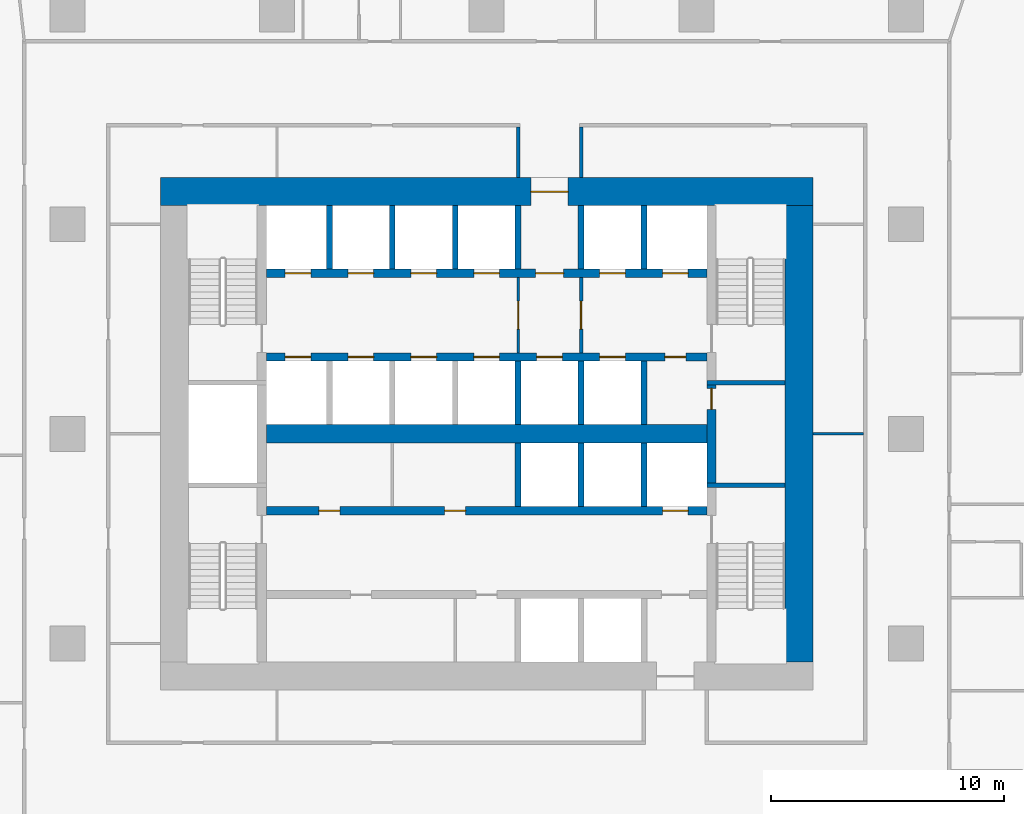
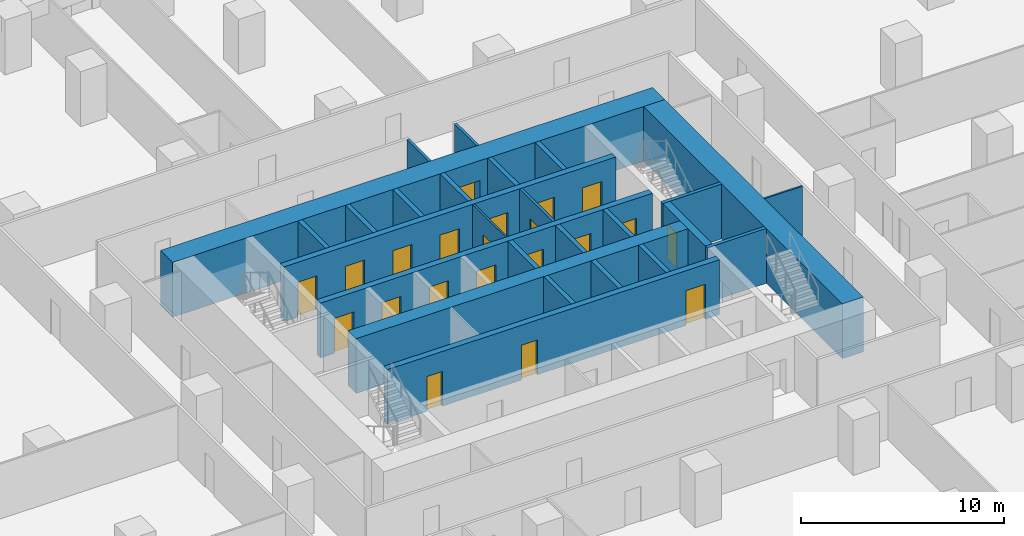
# One storey, part 14 of 24: 26 walls, 21 doors, 21 openings.
"""IFC4 building model written with IfcOpenShell, lengths in metres."""

from ifc_helpers import new_model, si_unit, direction, frame, frame_2d, origin, place, context, subcontext, project, spatial, rectangle, extrude, material, layer, layer_set, type_object, element, fill, save


model = new_model("IFC4")

# Units and contexts
model_context = context("Model", 3, precision=1e-05, world=origin(), true_north=direction((0.0, 1.0)))
body_context = subcontext(model_context, "Body", "Model", "MODEL_VIEW")
ifc_project = project(units=[si_unit("LENGTHUNIT", "METRE"), si_unit("AREAUNIT", "SQUARE_METRE"), si_unit("VOLUMEUNIT", "CUBIC_METRE"), si_unit("PLANEANGLEUNIT", "RADIAN"), si_unit("MASSUNIT", "GRAM", prefix="KILO")], contexts=[model_context])

# Site, building, storey
site_placement = place(None, origin())
site = spatial("IfcSite", under=ifc_project, at=site_placement, CompositionType="ELEMENT")
building_placement = place(site_placement, origin())
building = spatial("IfcBuilding", under=site, at=building_placement, Name="Dongbaek Canopy Tower", CompositionType="ELEMENT")
storey_placement = place(building_placement, frame((0.0, 0.0, 47.699951171875)))
storey = spatial("IfcBuildingStorey", under=building, at=storey_placement, Name="L07", CompositionType="ELEMENT", Elevation=47.699951171875)

# Wall
ifc_material_1 = material(Name="Concrete C60/75", Category="concrete")
ifc_layer_1 = layer(ifc_material_1, 0.800048828125)
ifc_layer_set_1 = layer_set([ifc_layer_1], Name="Core central wall 800 Concrete C60/75")
wall_type_1 = type_object("IfcWallType", Name="Core central wall 800 Concrete C60/75", PredefinedType="SHEAR", material=ifc_layer_set_1)
wall_1_placement = place(storey_placement, frame((-9.449951171875, 0.0, 0.0), z_axis=(0.0, 0.0, 1.0), x_axis=(1.0, 0.0, 0.0)))
element("IfcWall", 1, at=wall_1_placement, inside=storey, type_object=wall_type_1, Name="Core wall", PredefinedType="SHEAR", context=body_context, shape_type="SweptSolid", body=[
    extrude(rectangle(XDim=18.89990234375, YDim=0.800048828125, at=frame_2d((9.449951171875, 0.0))), origin(), (0.0, 0.0, 1.0), 3.300048828125),
])

# Wall, openings, doors
ifc_material_2 = material(Name="Concrete C60/75", Category="concrete")
ifc_layer_2 = layer(ifc_material_2, 0.35009765625)
ifc_layer_set_2 = layer_set([ifc_layer_2], Name="Core lobby wall 350 Concrete C60/75")
wall_type_2 = type_object("IfcWallType", Name="Core lobby wall 350 Concrete C60/75", PredefinedType="SHEAR", material=ifc_layer_set_2)
wall_2_placement = place(storey_placement, frame((-9.449951171875, 6.89990234375, 0.0), z_axis=(0.0, 0.0, 1.0), x_axis=(1.0, 0.0, 0.0)))
wall_2 = element("IfcWall", 2, at=wall_2_placement, inside=storey, type_object=wall_type_2, Name="Core wall", PredefinedType="SHEAR", context=body_context, shape_type="SweptSolid", body=[
    extrude(rectangle(XDim=18.89990234375, YDim=0.35009765625, at=frame_2d((9.449951171875, 0.0))), origin(), (0.0, 0.0, 1.0), 3.300048828125),
])
opening_1_placement = place(wall_2_placement, frame((0.800048828125, 0.0, 0.0)))
opening_1 = element("IfcOpeningElement", 3, at=opening_1_placement, cuts=wall_2, Name="Opening L07-D028", PredefinedType="OPENING", context=body_context, shape_type="SweptSolid", body=[
    extrude(rectangle(XDim=1.10009765625, YDim=2.10009765625, at=frame_2d((0.550048828125, 1.050048828125))), frame((0.0, 0.18505859375, 0.0), z_axis=(0.0, -1.0, 0.0), x_axis=(1.0, 0.0, 0.0)), (0.0, 0.0, 1.0), 0.3701171875),
])
opening_2_placement = place(wall_2_placement, frame((3.5, 0.0, 0.0)))
opening_2 = element("IfcOpeningElement", 4, at=opening_2_placement, cuts=wall_2, Name="Opening L07-D029", PredefinedType="OPENING", context=body_context, shape_type="SweptSolid", body=[
    extrude(rectangle(XDim=1.10009765625, YDim=2.10009765625, at=frame_2d((0.550048828125, 1.050048828125))), frame((0.0, 0.18505859375, 0.0), z_axis=(0.0, -1.0, 0.0), x_axis=(1.0, 0.0, 0.0)), (0.0, 0.0, 1.0), 0.3701171875),
])
opening_3_placement = place(wall_2_placement, frame((6.199951171875, 0.0, 0.0)))
opening_3 = element("IfcOpeningElement", 5, at=opening_3_placement, cuts=wall_2, Name="Opening L07-D030", PredefinedType="OPENING", context=body_context, shape_type="SweptSolid", body=[
    extrude(rectangle(XDim=1.10009765625, YDim=2.10009765625, at=frame_2d((0.550048828125, 1.050048828125))), frame((0.0, 0.18505859375, 0.0), z_axis=(0.0, -1.0, 0.0), x_axis=(1.0, 0.0, 0.0)), (0.0, 0.0, 1.0), 0.3701171875),
])
opening_4_placement = place(wall_2_placement, frame((8.89990234375, 0.0, 0.0)))
opening_4 = element("IfcOpeningElement", 6, at=opening_4_placement, cuts=wall_2, Name="Opening L07-D031", PredefinedType="OPENING", context=body_context, shape_type="SweptSolid", body=[
    extrude(rectangle(XDim=1.10009765625, YDim=2.10009765625, at=frame_2d((0.550048828125, 1.050048828125))), frame((0.0, 0.18505859375, 0.0), z_axis=(0.0, -1.0, 0.0), x_axis=(1.0, 0.0, 0.0)), (0.0, 0.0, 1.0), 0.3701171875),
])
opening_5_placement = place(wall_2_placement, frame((11.550048828125, 0.0, 0.0)))
opening_5 = element("IfcOpeningElement", 7, at=opening_5_placement, cuts=wall_2, Name="Opening L07-D033", PredefinedType="OPENING", context=body_context, shape_type="SweptSolid", body=[
    extrude(rectangle(XDim=1.199951171875, YDim=2.10009765625, at=frame_2d((0.60009765625, 1.050048828125))), frame((0.0, 0.18505859375, 0.0), z_axis=(0.0, -1.0, 0.0), x_axis=(1.0, 0.0, 0.0)), (0.0, 0.0, 1.0), 0.3701171875),
])
opening_6_placement = place(wall_2_placement, frame((14.300048828125, 0.0, 0.0)))
opening_6 = element("IfcOpeningElement", 8, at=opening_6_placement, cuts=wall_2, Name="Opening L07-D034", PredefinedType="OPENING", context=body_context, shape_type="SweptSolid", body=[
    extrude(rectangle(XDim=1.10009765625, YDim=2.10009765625, at=frame_2d((0.550048828125, 1.050048828125))), frame((0.0, 0.18505859375, 0.0), z_axis=(0.0, -1.0, 0.0), x_axis=(1.0, 0.0, 0.0)), (0.0, 0.0, 1.0), 0.3701171875),
])
opening_7_placement = place(wall_2_placement, frame((17.0, 0.0, 0.0)))
opening_7 = element("IfcOpeningElement", 9, at=opening_7_placement, cuts=wall_2, Name="Opening L07-D035", PredefinedType="OPENING", context=body_context, shape_type="SweptSolid", body=[
    extrude(rectangle(XDim=1.10009765625, YDim=2.10009765625, at=frame_2d((0.550048828125, 1.050048828125))), frame((0.0, 0.18505859375, 0.0), z_axis=(0.0, -1.0, 0.0), x_axis=(1.0, 0.0, 0.0)), (0.0, 0.0, 1.0), 0.3701171875),
])
ifc_material_3 = material(Name="Steel", Category="steel")
door_type_1 = type_object("IfcDoorType", Name="Fire lobby door 1200 x 2100", OperationType="SINGLE_SWING_LEFT", PredefinedType="DOOR", material=ifc_material_3)
door_1_placement = place(opening_5_placement, origin())
door_1 = element("IfcDoor", 10, at=door_1_placement, inside=storey, type_object=door_type_1, Name="Door L07-D033", OperationType="SINGLE_SWING_LEFT", OverallHeight=2.10009765625, OverallWidth=1.199951171875, PredefinedType="DOOR", context=body_context, shape_type="SweptSolid", body=[
    extrude(rectangle(XDim=1.199951171875, YDim=2.10009765625, at=frame_2d((0.60009765625, 1.050048828125))), frame((0.0, 0.02490234375, 0.0), z_axis=(0.0, -1.0, 0.0), x_axis=(1.0, 0.0, 0.0)), (0.0, 0.0, 1.0), 0.050048828125),
])
fill(opening_5, door_1)
ifc_material_4 = material(Name="Stainless steel", Category="steel")
door_type_2 = type_object("IfcDoorType", Name="Lift landing door 1100 x 2100", OperationType="DOUBLE_DOOR_SLIDING", PredefinedType="DOOR", material=ifc_material_4)
door_2_placement = place(opening_1_placement, origin())
door_2 = element("IfcDoor", 11, at=door_2_placement, inside=storey, type_object=door_type_2, Name="Landing door LR1", OperationType="DOUBLE_DOOR_SLIDING", OverallHeight=2.10009765625, OverallWidth=1.10009765625, PredefinedType="DOOR", context=body_context, shape_type="SweptSolid", body=[
    extrude(rectangle(XDim=1.10009765625, YDim=2.10009765625, at=frame_2d((0.550048828125, 1.050048828125))), frame((0.0, 0.02490234375, 0.0), z_axis=(0.0, -1.0, 0.0), x_axis=(1.0, 0.0, 0.0)), (0.0, 0.0, 1.0), 0.050048828125),
])
fill(opening_1, door_2)
door_3_placement = place(opening_2_placement, origin())
door_3 = element("IfcDoor", 12, at=door_3_placement, inside=storey, type_object=door_type_2, Name="Landing door LR2", OperationType="DOUBLE_DOOR_SLIDING", OverallHeight=2.10009765625, OverallWidth=1.10009765625, PredefinedType="DOOR", context=body_context, shape_type="SweptSolid", body=[
    extrude(rectangle(XDim=1.10009765625, YDim=2.10009765625, at=frame_2d((0.550048828125, 1.050048828125))), frame((0.0, 0.02490234375, 0.0), z_axis=(0.0, -1.0, 0.0), x_axis=(1.0, 0.0, 0.0)), (0.0, 0.0, 1.0), 0.050048828125),
])
fill(opening_2, door_3)
door_4_placement = place(opening_3_placement, origin())
door_4 = element("IfcDoor", 13, at=door_4_placement, inside=storey, type_object=door_type_2, Name="Landing door LR3", OperationType="DOUBLE_DOOR_SLIDING", OverallHeight=2.10009765625, OverallWidth=1.10009765625, PredefinedType="DOOR", context=body_context, shape_type="SweptSolid", body=[
    extrude(rectangle(XDim=1.10009765625, YDim=2.10009765625, at=frame_2d((0.550048828125, 1.050048828125))), frame((0.0, 0.02490234375, 0.0), z_axis=(0.0, -1.0, 0.0), x_axis=(1.0, 0.0, 0.0)), (0.0, 0.0, 1.0), 0.050048828125),
])
fill(opening_3, door_4)
door_5_placement = place(opening_4_placement, origin())
door_5 = element("IfcDoor", 14, at=door_5_placement, inside=storey, type_object=door_type_2, Name="Landing door LR4", OperationType="DOUBLE_DOOR_SLIDING", OverallHeight=2.10009765625, OverallWidth=1.10009765625, PredefinedType="DOOR", context=body_context, shape_type="SweptSolid", body=[
    extrude(rectangle(XDim=1.10009765625, YDim=2.10009765625, at=frame_2d((0.550048828125, 1.050048828125))), frame((0.0, 0.02490234375, 0.0), z_axis=(0.0, -1.0, 0.0), x_axis=(1.0, 0.0, 0.0)), (0.0, 0.0, 1.0), 0.050048828125),
])
fill(opening_4, door_5)
door_6_placement = place(opening_6_placement, origin())
door_6 = element("IfcDoor", 15, at=door_6_placement, inside=storey, type_object=door_type_2, Name="Landing door FF1", OperationType="DOUBLE_DOOR_SLIDING", OverallHeight=2.10009765625, OverallWidth=1.10009765625, PredefinedType="DOOR", context=body_context, shape_type="SweptSolid", body=[
    extrude(rectangle(XDim=1.10009765625, YDim=2.10009765625, at=frame_2d((0.550048828125, 1.050048828125))), frame((0.0, 0.02490234375, 0.0), z_axis=(0.0, -1.0, 0.0), x_axis=(1.0, 0.0, 0.0)), (0.0, 0.0, 1.0), 0.050048828125),
])
fill(opening_6, door_6)
door_7_placement = place(opening_7_placement, origin())
door_7 = element("IfcDoor", 16, at=door_7_placement, inside=storey, type_object=door_type_2, Name="Landing door FF2", OperationType="DOUBLE_DOOR_SLIDING", OverallHeight=2.10009765625, OverallWidth=1.10009765625, PredefinedType="DOOR", context=body_context, shape_type="SweptSolid", body=[
    extrude(rectangle(XDim=1.10009765625, YDim=2.10009765625, at=frame_2d((0.550048828125, 1.050048828125))), frame((0.0, 0.02490234375, 0.0), z_axis=(0.0, -1.0, 0.0), x_axis=(1.0, 0.0, 0.0)), (0.0, 0.0, 1.0), 0.050048828125),
])
fill(opening_7, door_7)

wall_3_placement = place(storey_placement, frame((9.449951171875, 3.300048828125, 0.0), z_axis=(0.0, 0.0, 1.0), x_axis=(-1.0, 0.0, 0.0)))
wall_3 = element("IfcWall", 17, at=wall_3_placement, inside=storey, type_object=wall_type_2, Name="Core wall", PredefinedType="SHEAR", context=body_context, shape_type="SweptSolid", body=[
    extrude(rectangle(XDim=18.89990234375, YDim=0.35009765625, at=frame_2d((9.449951171875, 0.0))), origin(), (0.0, 0.0, 1.0), 3.300048828125),
])
opening_8_placement = place(wall_3_placement, frame((17.0, 0.0, 0.0)))
opening_8 = element("IfcOpeningElement", 18, at=opening_8_placement, cuts=wall_3, Name="Opening L07-D036", PredefinedType="OPENING", context=body_context, shape_type="SweptSolid", body=[
    extrude(rectangle(XDim=1.10009765625, YDim=2.10009765625, at=frame_2d((0.550048828125, 1.050048828125))), frame((0.0, 0.18505859375, 0.0), z_axis=(0.0, -1.0, 0.0), x_axis=(1.0, 0.0, 0.0)), (0.0, 0.0, 1.0), 0.3701171875),
])
opening_9_placement = place(wall_3_placement, frame((14.300048828125, 0.0, 0.0)))
opening_9 = element("IfcOpeningElement", 19, at=opening_9_placement, cuts=wall_3, Name="Opening L07-D037", PredefinedType="OPENING", context=body_context, shape_type="SweptSolid", body=[
    extrude(rectangle(XDim=1.10009765625, YDim=2.10009765625, at=frame_2d((0.550048828125, 1.050048828125))), frame((0.0, 0.18505859375, 0.0), z_axis=(0.0, -1.0, 0.0), x_axis=(1.0, 0.0, 0.0)), (0.0, 0.0, 1.0), 0.3701171875),
])
opening_10_placement = place(wall_3_placement, frame((11.60009765625, 0.0, 0.0)))
opening_10 = element("IfcOpeningElement", 20, at=opening_10_placement, cuts=wall_3, Name="Opening L07-D038", PredefinedType="OPENING", context=body_context, shape_type="SweptSolid", body=[
    extrude(rectangle(XDim=1.10009765625, YDim=2.10009765625, at=frame_2d((0.550048828125, 1.050048828125))), frame((0.0, 0.18505859375, 0.0), z_axis=(0.0, -1.0, 0.0), x_axis=(1.0, 0.0, 0.0)), (0.0, 0.0, 1.0), 0.3701171875),
])
opening_11_placement = place(wall_3_placement, frame((8.89990234375, 0.0, 0.0)))
opening_11 = element("IfcOpeningElement", 21, at=opening_11_placement, cuts=wall_3, Name="Opening L07-D039", PredefinedType="OPENING", context=body_context, shape_type="SweptSolid", body=[
    extrude(rectangle(XDim=1.10009765625, YDim=2.10009765625, at=frame_2d((0.550048828125, 1.050048828125))), frame((0.0, 0.18505859375, 0.0), z_axis=(0.0, -1.0, 0.0), x_axis=(1.0, 0.0, 0.0)), (0.0, 0.0, 1.0), 0.3701171875),
])
opening_12_placement = place(wall_3_placement, frame((6.199951171875, 0.0, 0.0)))
opening_12 = element("IfcOpeningElement", 22, at=opening_12_placement, cuts=wall_3, Name="Opening L07-D040", PredefinedType="OPENING", context=body_context, shape_type="SweptSolid", body=[
    extrude(rectangle(XDim=1.10009765625, YDim=2.10009765625, at=frame_2d((0.550048828125, 1.050048828125))), frame((0.0, 0.18505859375, 0.0), z_axis=(0.0, -1.0, 0.0), x_axis=(1.0, 0.0, 0.0)), (0.0, 0.0, 1.0), 0.3701171875),
])
opening_13_placement = place(wall_3_placement, frame((3.5, 0.0, 0.0)))
opening_13 = element("IfcOpeningElement", 23, at=opening_13_placement, cuts=wall_3, Name="Opening L07-D041", PredefinedType="OPENING", context=body_context, shape_type="SweptSolid", body=[
    extrude(rectangle(XDim=1.10009765625, YDim=2.10009765625, at=frame_2d((0.550048828125, 1.050048828125))), frame((0.0, 0.18505859375, 0.0), z_axis=(0.0, -1.0, 0.0), x_axis=(1.0, 0.0, 0.0)), (0.0, 0.0, 1.0), 0.3701171875),
])
opening_14_placement = place(wall_3_placement, frame((0.89990234375, 0.0, 0.0)))
opening_14 = element("IfcOpeningElement", 24, at=opening_14_placement, cuts=wall_3, Name="Opening L07-D042", PredefinedType="OPENING", context=body_context, shape_type="SweptSolid", body=[
    extrude(rectangle(XDim=0.89990234375, YDim=2.10009765625, at=frame_2d((0.449951171875, 1.050048828125))), frame((0.0, 0.18505859375, 0.0), z_axis=(0.0, -1.0, 0.0), x_axis=(1.0, 0.0, 0.0)), (0.0, 0.0, 1.0), 0.3701171875),
])
ifc_material_5 = material(Name="Steel", Category="steel")
door_type_3 = type_object("IfcDoorType", Name="Core room door 900 x 2100", OperationType="SINGLE_SWING_LEFT", PredefinedType="DOOR", material=ifc_material_5)
door_8_placement = place(opening_14_placement, origin())
door_8 = element("IfcDoor", 25, at=door_8_placement, inside=storey, type_object=door_type_3, Name="Door L07-D042", OperationType="SINGLE_SWING_LEFT", OverallHeight=2.10009765625, OverallWidth=0.89990234375, PredefinedType="DOOR", context=body_context, shape_type="SweptSolid", body=[
    extrude(rectangle(XDim=0.89990234375, YDim=2.10009765625, at=frame_2d((0.449951171875, 1.050048828125))), frame((0.0, 0.02490234375, 0.0), z_axis=(0.0, -1.0, 0.0), x_axis=(1.0, 0.0, 0.0)), (0.0, 0.0, 1.0), 0.050048828125),
])
fill(opening_14, door_8)
door_9_placement = place(opening_8_placement, origin())
door_9 = element("IfcDoor", 26, at=door_9_placement, inside=storey, type_object=door_type_2, Name="Landing door LR5", OperationType="DOUBLE_DOOR_SLIDING", OverallHeight=2.10009765625, OverallWidth=1.10009765625, PredefinedType="DOOR", context=body_context, shape_type="SweptSolid", body=[
    extrude(rectangle(XDim=1.10009765625, YDim=2.10009765625, at=frame_2d((0.550048828125, 1.050048828125))), frame((0.0, 0.02490234375, 0.0), z_axis=(0.0, -1.0, 0.0), x_axis=(1.0, 0.0, 0.0)), (0.0, 0.0, 1.0), 0.050048828125),
])
fill(opening_8, door_9)
door_10_placement = place(opening_9_placement, origin())
door_10 = element("IfcDoor", 27, at=door_10_placement, inside=storey, type_object=door_type_2, Name="Landing door LR6", OperationType="DOUBLE_DOOR_SLIDING", OverallHeight=2.10009765625, OverallWidth=1.10009765625, PredefinedType="DOOR", context=body_context, shape_type="SweptSolid", body=[
    extrude(rectangle(XDim=1.10009765625, YDim=2.10009765625, at=frame_2d((0.550048828125, 1.050048828125))), frame((0.0, 0.02490234375, 0.0), z_axis=(0.0, -1.0, 0.0), x_axis=(1.0, 0.0, 0.0)), (0.0, 0.0, 1.0), 0.050048828125),
])
fill(opening_9, door_10)
door_11_placement = place(opening_10_placement, origin())
door_11 = element("IfcDoor", 28, at=door_11_placement, inside=storey, type_object=door_type_2, Name="Landing door LR7", OperationType="DOUBLE_DOOR_SLIDING", OverallHeight=2.10009765625, OverallWidth=1.10009765625, PredefinedType="DOOR", context=body_context, shape_type="SweptSolid", body=[
    extrude(rectangle(XDim=1.10009765625, YDim=2.10009765625, at=frame_2d((0.550048828125, 1.050048828125))), frame((0.0, 0.02490234375, 0.0), z_axis=(0.0, -1.0, 0.0), x_axis=(1.0, 0.0, 0.0)), (0.0, 0.0, 1.0), 0.050048828125),
])
fill(opening_10, door_11)
door_12_placement = place(opening_11_placement, origin())
door_12 = element("IfcDoor", 29, at=door_12_placement, inside=storey, type_object=door_type_2, Name="Landing door LR8", OperationType="DOUBLE_DOOR_SLIDING", OverallHeight=2.10009765625, OverallWidth=1.10009765625, PredefinedType="DOOR", context=body_context, shape_type="SweptSolid", body=[
    extrude(rectangle(XDim=1.10009765625, YDim=2.10009765625, at=frame_2d((0.550048828125, 1.050048828125))), frame((0.0, 0.02490234375, 0.0), z_axis=(0.0, -1.0, 0.0), x_axis=(1.0, 0.0, 0.0)), (0.0, 0.0, 1.0), 0.050048828125),
])
fill(opening_11, door_12)
door_13_placement = place(opening_12_placement, origin())
door_13 = element("IfcDoor", 30, at=door_13_placement, inside=storey, type_object=door_type_2, Name="Landing door SV1", OperationType="DOUBLE_DOOR_SLIDING", OverallHeight=2.10009765625, OverallWidth=1.10009765625, PredefinedType="DOOR", context=body_context, shape_type="SweptSolid", body=[
    extrude(rectangle(XDim=1.10009765625, YDim=2.10009765625, at=frame_2d((0.550048828125, 1.050048828125))), frame((0.0, 0.02490234375, 0.0), z_axis=(0.0, -1.0, 0.0), x_axis=(1.0, 0.0, 0.0)), (0.0, 0.0, 1.0), 0.050048828125),
])
fill(opening_12, door_13)
door_14_placement = place(opening_13_placement, origin())
door_14 = element("IfcDoor", 31, at=door_14_placement, inside=storey, type_object=door_type_2, Name="Landing door FF3", OperationType="DOUBLE_DOOR_SLIDING", OverallHeight=2.10009765625, OverallWidth=1.10009765625, PredefinedType="DOOR", context=body_context, shape_type="SweptSolid", body=[
    extrude(rectangle(XDim=1.10009765625, YDim=2.10009765625, at=frame_2d((0.550048828125, 1.050048828125))), frame((0.0, 0.02490234375, 0.0), z_axis=(0.0, -1.0, 0.0), x_axis=(1.0, 0.0, 0.0)), (0.0, 0.0, 1.0), 0.050048828125),
])
fill(opening_13, door_14)

wall_4_placement = place(storey_placement, frame((-9.449951171875, -3.300048828125, 0.0), z_axis=(0.0, 0.0, 1.0), x_axis=(1.0, 0.0, 0.0)))
wall_4 = element("IfcWall", 32, at=wall_4_placement, inside=storey, type_object=wall_type_2, Name="Core wall", PredefinedType="SHEAR", context=body_context, shape_type="SweptSolid", body=[
    extrude(rectangle(XDim=18.89990234375, YDim=0.35009765625, at=frame_2d((9.449951171875, 0.0))), origin(), (0.0, 0.0, 1.0), 3.300048828125),
])
opening_15_placement = place(wall_4_placement, frame((17.0, 0.0, 0.0)))
opening_15 = element("IfcOpeningElement", 33, at=opening_15_placement, cuts=wall_4, Name="Opening L07-D043", PredefinedType="OPENING", context=body_context, shape_type="SweptSolid", body=[
    extrude(rectangle(XDim=1.10009765625, YDim=2.10009765625, at=frame_2d((0.550048828125, 1.050048828125))), frame((0.0, 0.18505859375, 0.0), z_axis=(0.0, -1.0, 0.0), x_axis=(1.0, 0.0, 0.0)), (0.0, 0.0, 1.0), 0.3701171875),
])
opening_16_placement = place(wall_4_placement, frame((2.25, 0.0, 0.0)))
opening_16 = element("IfcOpeningElement", 34, at=opening_16_placement, cuts=wall_4, Name="Opening L07-D046", PredefinedType="OPENING", context=body_context, shape_type="SweptSolid", body=[
    extrude(rectangle(XDim=0.89990234375, YDim=2.10009765625, at=frame_2d((0.449951171875, 1.050048828125))), frame((0.0, 0.18505859375, 0.0), z_axis=(0.0, -1.0, 0.0), x_axis=(1.0, 0.0, 0.0)), (0.0, 0.0, 1.0), 0.3701171875),
])
opening_17_placement = place(wall_4_placement, frame((7.64990234375, 0.0, 0.0)))
opening_17 = element("IfcOpeningElement", 35, at=opening_17_placement, cuts=wall_4, Name="Opening L07-D047", PredefinedType="OPENING", context=body_context, shape_type="SweptSolid", body=[
    extrude(rectangle(XDim=0.89990234375, YDim=2.10009765625, at=frame_2d((0.449951171875, 1.050048828125))), frame((0.0, 0.18505859375, 0.0), z_axis=(0.0, -1.0, 0.0), x_axis=(1.0, 0.0, 0.0)), (0.0, 0.0, 1.0), 0.3701171875),
])
door_15_placement = place(opening_16_placement, origin())
door_15 = element("IfcDoor", 36, at=door_15_placement, inside=storey, type_object=door_type_3, Name="Door L07-D046", OperationType="SINGLE_SWING_RIGHT", OverallHeight=2.10009765625, OverallWidth=0.89990234375, PredefinedType="DOOR", context=body_context, shape_type="SweptSolid", body=[
    extrude(rectangle(XDim=0.89990234375, YDim=2.10009765625, at=frame_2d((0.449951171875, 1.050048828125))), frame((0.0, 0.02490234375, 0.0), z_axis=(0.0, -1.0, 0.0), x_axis=(1.0, 0.0, 0.0)), (0.0, 0.0, 1.0), 0.050048828125),
])
fill(opening_16, door_15)
door_16_placement = place(opening_17_placement, origin())
door_16 = element("IfcDoor", 37, at=door_16_placement, inside=storey, type_object=door_type_3, Name="Door L07-D047", OperationType="SINGLE_SWING_LEFT", OverallHeight=2.10009765625, OverallWidth=0.89990234375, PredefinedType="DOOR", context=body_context, shape_type="SweptSolid", body=[
    extrude(rectangle(XDim=0.89990234375, YDim=2.10009765625, at=frame_2d((0.449951171875, 1.050048828125))), frame((0.0, 0.02490234375, 0.0), z_axis=(0.0, -1.0, 0.0), x_axis=(1.0, 0.0, 0.0)), (0.0, 0.0, 1.0), 0.050048828125),
])
fill(opening_17, door_16)
door_17_placement = place(opening_15_placement, origin())
door_17 = element("IfcDoor", 38, at=door_17_placement, inside=storey, type_object=door_type_2, Name="Landing door SV2", OperationType="DOUBLE_DOOR_SLIDING", OverallHeight=2.10009765625, OverallWidth=1.10009765625, PredefinedType="DOOR", context=body_context, shape_type="SweptSolid", body=[
    extrude(rectangle(XDim=1.10009765625, YDim=2.10009765625, at=frame_2d((0.550048828125, 1.050048828125))), frame((0.0, 0.02490234375, 0.0), z_axis=(0.0, -1.0, 0.0), x_axis=(1.0, 0.0, 0.0)), (0.0, 0.0, 1.0), 0.050048828125),
])
fill(opening_15, door_17)

# Wall, opening, door
ifc_material_6 = material(Name="Concrete C60/75", Category="concrete")
ifc_layer_3 = layer(ifc_material_6, 1.199951171875)
ifc_layer_set_3 = layer_set([ifc_layer_3], Name="Core outer wall 1200 Concrete C60/75")
wall_type_3 = type_object("IfcWallType", Name="Core outer wall 1200 Concrete C60/75", PredefinedType="SHEAR", material=ifc_layer_set_3)
wall_5_placement = place(storey_placement, frame((-14.0, 10.39990234375, 0.0), z_axis=(0.0, 0.0, 1.0), x_axis=(1.0, 0.0, 0.0)))
wall_5 = element("IfcWall", 39, at=wall_5_placement, inside=storey, type_object=wall_type_3, Name="Core wall", PredefinedType="SHEAR", context=body_context, shape_type="SweptSolid", body=[
    extrude(rectangle(XDim=28.0, YDim=1.199951171875, at=frame_2d((14.0, 0.0))), origin(), (0.0, 0.0, 1.0), 3.300048828125),
])
opening_18_placement = place(wall_5_placement, frame((15.89990234375, 0.0, 0.0)))
opening_18 = element("IfcOpeningElement", 40, at=opening_18_placement, cuts=wall_5, Name="Opening L07-D032", PredefinedType="OPENING", context=body_context, shape_type="SweptSolid", body=[
    extrude(rectangle(XDim=1.60009765625, YDim=2.10009765625, at=frame_2d((0.800048828125, 1.050048828125))), frame((0.0, 0.60986328125, 0.0), z_axis=(0.0, -1.0, 0.0), x_axis=(1.0, 0.0, 0.0)), (0.0, 0.0, 1.0), 1.219970703125),
])
ifc_material_7 = material(Name="Steel", Category="steel")
door_type_4 = type_object("IfcDoorType", Name="Core exit door 1600 x 2100", OperationType="DOUBLE_DOOR_SINGLE_SWING", PredefinedType="DOOR", material=ifc_material_7)
door_18_placement = place(opening_18_placement, origin())
door_18 = element("IfcDoor", 41, at=door_18_placement, inside=storey, type_object=door_type_4, Name="Core exit door", OperationType="DOUBLE_DOOR_SINGLE_SWING", OverallHeight=2.10009765625, OverallWidth=1.60009765625, PredefinedType="DOOR", context=body_context, shape_type="SweptSolid", body=[
    extrude(rectangle(XDim=1.60009765625, YDim=2.10009765625, at=frame_2d((0.800048828125, 1.050048828125))), frame((0.0, 0.02490234375, 0.0), z_axis=(0.0, -1.0, 0.0), x_axis=(1.0, 0.0, 0.0)), (0.0, 0.0, 1.0), 0.050048828125),
])
fill(opening_18, door_18)

# Walls
wall_6_placement = place(storey_placement, frame((13.39990234375, 9.800048828125, 0.0), z_axis=(0.0, 0.0, 1.0), x_axis=(0.0, -1.0, 0.0)))
element("IfcWall", 42, at=wall_6_placement, inside=storey, type_object=wall_type_3, Name="Core wall", PredefinedType="SHEAR", context=body_context, shape_type="SweptSolid", body=[
    extrude(rectangle(XDim=19.60009765625, YDim=1.199951171875, at=frame_2d((9.800048828125, 0.0))), origin(), (0.0, 0.0, 1.0), 3.300048828125),
])
ifc_material_8 = material(Name="Gypsum board partition, steel stud, 2 x 15 mm fire board", Category="steel")
ifc_layer_4 = layer(ifc_material_8, 0.14990234375)
ifc_layer_set_4 = layer_set([ifc_layer_4], Name="Fire-rated partition 150 gypsum board")
wall_type_4 = type_object("IfcWallType", Name="Fire-rated partition 150 gypsum board", PredefinedType="PARTITIONING", material=ifc_layer_set_4)
for number, where, z_axis, x_axis, name in (
    (43, (4.050048828125, 11.0, 0.0), (0.0, 0.0, 1.0), (0.0, 1.0, 0.0), "Corridor partition"),
    (44, (1.35009765625, 11.0, 0.0), (0.0, 0.0, 1.0), (0.0, 1.0, 0.0), "Corridor partition"),
):
    element("IfcWall", number, at=place(storey_placement, frame(where, z_axis=z_axis, x_axis=x_axis)), inside=storey, type_object=wall_type_4, Name=name, PredefinedType="PARTITIONING", context=body_context, shape_type="SweptSolid", body=[
        extrude(rectangle(XDim=2.175048828125, YDim=0.14990234375, at=frame_2d((1.08740234375, 0.0))), origin(), (0.0, 0.0, 1.0), 3.300048828125),
    ])

# Wall, opening, door
wall_7_placement = place(storey_placement, frame((4.050048828125, 6.72509765625, 0.0), z_axis=(0.0, 0.0, 1.0), x_axis=(0.0, -1.0, 0.0)))
wall_7 = element("IfcWall", 45, at=wall_7_placement, inside=storey, type_object=wall_type_4, Name="Fire lobby partition", PredefinedType="PARTITIONING", context=body_context, shape_type="SweptSolid", body=[
    extrude(rectangle(XDim=3.25, YDim=0.14990234375, at=frame_2d((1.625, 0.0))), origin(), (0.0, 0.0, 1.0), 3.300048828125),
])
opening_19_placement = place(wall_7_placement, frame((1.02490234375, 0.0, 0.0)))
opening_19 = element("IfcOpeningElement", 46, at=opening_19_placement, cuts=wall_7, Name="Opening L07-D055", PredefinedType="OPENING", context=body_context, shape_type="SweptSolid", body=[
    extrude(rectangle(XDim=1.199951171875, YDim=2.10009765625, at=frame_2d((0.60009765625, 1.050048828125))), frame((0.0, 0.0849609375, 0.0), z_axis=(0.0, -1.0, 0.0), x_axis=(1.0, 0.0, 0.0)), (0.0, 0.0, 1.0), 0.169921875),
])
door_19_placement = place(opening_19_placement, origin())
door_19 = element("IfcDoor", 47, at=door_19_placement, inside=storey, type_object=door_type_1, Name="Door L07-D055", OperationType="SINGLE_SWING_RIGHT", OverallHeight=2.10009765625, OverallWidth=1.199951171875, PredefinedType="DOOR", context=body_context, shape_type="SweptSolid", body=[
    extrude(rectangle(XDim=1.199951171875, YDim=2.10009765625, at=frame_2d((0.60009765625, 1.050048828125))), frame((0.0, 0.02490234375, 0.0), z_axis=(0.0, -1.0, 0.0), x_axis=(1.0, 0.0, 0.0)), (0.0, 0.0, 1.0), 0.050048828125),
])
fill(opening_19, door_19)

# Walls
ifc_material_9 = material(Name="Concrete C40/50", Category="concrete")
ifc_layer_5 = layer(ifc_material_9, 0.25)
ifc_layer_set_5 = layer_set([ifc_layer_5], Name="Lift shaft wall 250 Concrete C40/50")
wall_type_5 = type_object("IfcWallType", Name="Lift shaft wall 250 Concrete C40/50", PredefinedType="SOLIDWALL", material=ifc_layer_set_5)
for number, where, z_axis, x_axis, name in (
    (48, (6.75, -3.125, 0.0), (0.0, 0.0, 1.0), (0.0, 1.0, 0.0), "Lift shaft wall"),
    (49, (6.75, 0.39990234375, 0.0), (0.0, 0.0, 1.0), (0.0, 1.0, 0.0), "Lift shaft wall"),
    (50, (6.75, 7.074951171875, 0.0), (0.0, 0.0, 1.0), (0.0, 1.0, 0.0), "Lift shaft wall"),
    (51, (4.050048828125, -3.125, 0.0), (0.0, 0.0, 1.0), (0.0, 1.0, 0.0), "Lift shaft wall"),
    (52, (4.050048828125, 0.39990234375, 0.0), (0.0, 0.0, 1.0), (0.0, 1.0, 0.0), "Lift shaft wall"),
    (53, (4.050048828125, 7.074951171875, 0.0), (0.0, 0.0, 1.0), (0.0, 1.0, 0.0), "Lift shaft wall"),
    (54, (1.35009765625, -3.125, 0.0), (0.0, 0.0, 1.0), (0.0, 1.0, 0.0), "Lift shaft wall"),
    (55, (1.35009765625, 0.39990234375, 0.0), (0.0, 0.0, 1.0), (0.0, 1.0, 0.0), "Lift shaft wall"),
    (56, (1.35009765625, 7.074951171875, 0.0), (0.0, 0.0, 1.0), (0.0, 1.0, 0.0), "Lift shaft wall"),
    (57, (-1.35009765625, 7.074951171875, 0.0), (0.0, 0.0, 1.0), (0.0, 1.0, 0.0), "Lift shaft wall"),
    (58, (-4.050048828125, 7.074951171875, 0.0), (0.0, 0.0, 1.0), (0.0, 1.0, 0.0), "Lift shaft wall"),
    (59, (-6.75, 7.074951171875, 0.0), (0.0, 0.0, 1.0), (0.0, 1.0, 0.0), "Lift shaft wall"),
):
    element("IfcWall", number, at=place(storey_placement, frame(where, z_axis=z_axis, x_axis=x_axis)), inside=storey, type_object=wall_type_5, Name=name, PredefinedType="SOLIDWALL", context=body_context, shape_type="SweptSolid", body=[
        extrude(rectangle(XDim=2.72509765625, YDim=0.25, at=frame_2d((1.362548828125, 0.0))), origin(), (0.0, 0.0, 1.0), 3.300048828125),
    ])
ifc_material_10 = material(Name="Gypsum board partition, steel stud, 2 x 12.5 mm board", Category="steel")
ifc_layer_6 = layer(ifc_material_10, 0.10009765625)
ifc_layer_set_6 = layer_set([ifc_layer_6], Name="Partition 100 gypsum board")
wall_type_6 = type_object("IfcWallType", Name="Partition 100 gypsum board", PredefinedType="PARTITIONING", material=ifc_layer_set_6)
wall_8_placement = place(storey_placement, frame((14.0, 0.0, 0.0), z_axis=(0.0, 0.0, 1.0), x_axis=(1.0, 0.0, 0.0)))
element("IfcWall", 60, at=wall_8_placement, inside=storey, type_object=wall_type_6, Name="Partition", PredefinedType="PARTITIONING", context=body_context, shape_type="SweptSolid", body=[
    extrude(rectangle(XDim=2.175048828125, YDim=0.10009765625, at=frame_2d((1.08740234375, 0.0))), origin(), (0.0, 0.0, 1.0), 3.300048828125),
])

# Wall, opening, door
wall_9_placement = place(storey_placement, frame((1.35009765625, 6.72509765625, 0.0), z_axis=(0.0, 0.0, 1.0), x_axis=(0.0, -1.0, 0.0)))
wall_9 = element("IfcWall", 61, at=wall_9_placement, inside=storey, type_object=wall_type_6, Name="Core partition", PredefinedType="PARTITIONING", context=body_context, shape_type="SweptSolid", body=[
    extrude(rectangle(XDim=3.25, YDim=0.10009765625, at=frame_2d((1.625, 0.0))), origin(), (0.0, 0.0, 1.0), 3.300048828125),
])
opening_20_placement = place(wall_9_placement, frame((1.02490234375, 0.0, 0.0)))
opening_20 = element("IfcOpeningElement", 62, at=opening_20_placement, cuts=wall_9, Name="Opening L07-D054", PredefinedType="OPENING", context=body_context, shape_type="SweptSolid", body=[
    extrude(rectangle(XDim=1.199951171875, YDim=2.10009765625, at=frame_2d((0.60009765625, 1.050048828125))), frame((0.0, 0.06005859375, 0.0), z_axis=(0.0, -1.0, 0.0), x_axis=(1.0, 0.0, 0.0)), (0.0, 0.0, 1.0), 0.1201171875),
])
door_20_placement = place(opening_20_placement, origin())
door_20 = element("IfcDoor", 63, at=door_20_placement, inside=storey, type_object=door_type_1, Name="Door L07-D054", OperationType="SINGLE_SWING_LEFT", OverallHeight=2.10009765625, OverallWidth=1.199951171875, PredefinedType="DOOR", context=body_context, shape_type="SweptSolid", body=[
    extrude(rectangle(XDim=1.199951171875, YDim=2.10009765625, at=frame_2d((0.60009765625, 1.050048828125))), frame((0.0, 0.02490234375, 0.0), z_axis=(0.0, -1.0, 0.0), x_axis=(1.0, 0.0, 0.0)), (0.0, 0.0, 1.0), 0.050048828125),
])
fill(opening_20, door_20)

# Walls
ifc_material_11 = material(Name="Concrete C60/75", Category="concrete")
ifc_layer_7 = layer(ifc_material_11, 0.199951171875)
ifc_layer_set_7 = layer_set([ifc_layer_7], Name="Riser wall 200 Concrete C60/75")
wall_type_7 = type_object("IfcWallType", Name="Riser wall 200 Concrete C60/75", PredefinedType="SHEAR", material=ifc_layer_set_7)
for number, where, z_axis, x_axis, name in (
    (64, (9.449951171875, 2.199951171875, 0.0), (0.0, 0.0, 1.0), (1.0, 0.0, 0.0), "Riser wall"),
    (65, (9.449951171875, -2.199951171875, 0.0), (0.0, 0.0, 1.0), (1.0, 0.0, 0.0), "Riser wall"),
):
    element("IfcWall", number, at=place(storey_placement, frame(where, z_axis=z_axis, x_axis=x_axis)), inside=storey, type_object=wall_type_7, Name=name, PredefinedType="SHEAR", context=body_context, shape_type="SweptSolid", body=[
        extrude(rectangle(XDim=3.35009765625, YDim=0.199951171875, at=frame_2d((1.675048828125, 0.0))), origin(), (0.0, 0.0, 1.0), 3.300048828125),
    ])

# Wall, opening, door
ifc_material_12 = material(Name="Concrete C60/75", Category="concrete")
ifc_layer_8 = layer(ifc_material_12, 0.39990234375)
ifc_layer_set_8 = layer_set([ifc_layer_8], Name="Stair wall 400 Concrete C60/75")
wall_type_8 = type_object("IfcWallType", Name="Stair wall 400 Concrete C60/75", PredefinedType="SHEAR", material=ifc_layer_set_8)
wall_10_placement = place(storey_placement, frame((9.64990234375, 2.10009765625, 0.0), z_axis=(0.0, 0.0, 1.0), x_axis=(0.0, -1.0, 0.0)))
wall_10 = element("IfcWall", 66, at=wall_10_placement, inside=storey, type_object=wall_type_8, Name="Stair wall", PredefinedType="SHEAR", context=body_context, shape_type="SweptSolid", body=[
    extrude(rectangle(XDim=4.2001953125, YDim=0.39990234375, at=frame_2d((2.10009765625, 0.0))), origin(), (0.0, 0.0, 1.0), 3.300048828125),
])
opening_21_placement = place(wall_10_placement, frame((0.14990234375, 0.0, 0.0)))
opening_21 = element("IfcOpeningElement", 67, at=opening_21_placement, cuts=wall_10, Name="Opening L07-D027", PredefinedType="OPENING", context=body_context, shape_type="SweptSolid", body=[
    extrude(rectangle(XDim=0.89990234375, YDim=2.10009765625, at=frame_2d((0.449951171875, 1.050048828125))), frame((0.0, 0.2099609375, 0.0), z_axis=(0.0, -1.0, 0.0), x_axis=(1.0, 0.0, 0.0)), (0.0, 0.0, 1.0), 0.419921875),
])
door_21_placement = place(opening_21_placement, origin())
door_21 = element("IfcDoor", 68, at=door_21_placement, inside=storey, type_object=door_type_3, Name="Door L07-D027", OperationType="SINGLE_SWING_RIGHT", OverallHeight=2.10009765625, OverallWidth=0.89990234375, PredefinedType="DOOR", context=body_context, shape_type="SweptSolid", body=[
    extrude(rectangle(XDim=0.89990234375, YDim=2.10009765625, at=frame_2d((0.449951171875, 1.050048828125))), frame((0.0, 0.02490234375, 0.0), z_axis=(0.0, -1.0, 0.0), x_axis=(1.0, 0.0, 0.0)), (0.0, 0.0, 1.0), 0.050048828125),
])
fill(opening_21, door_21)

save(model, "model.ifc")
